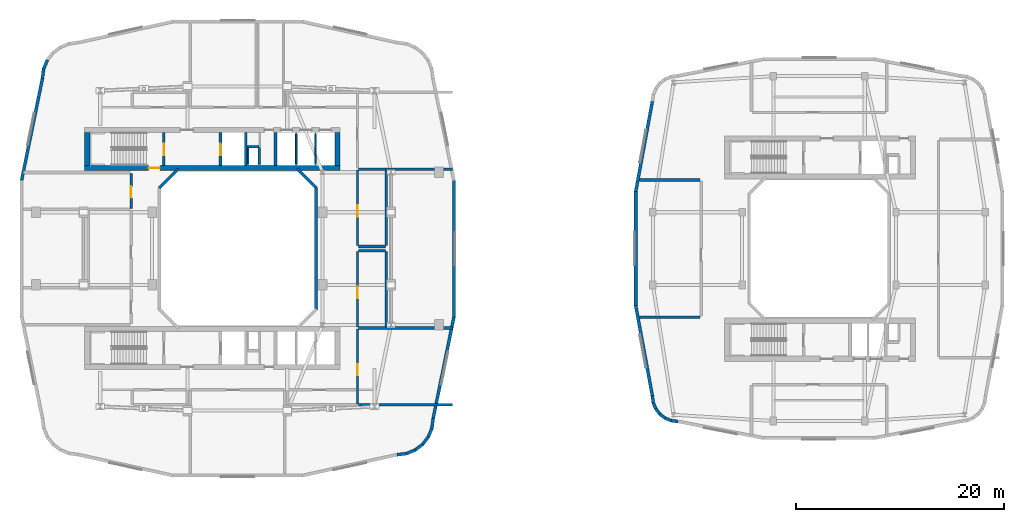
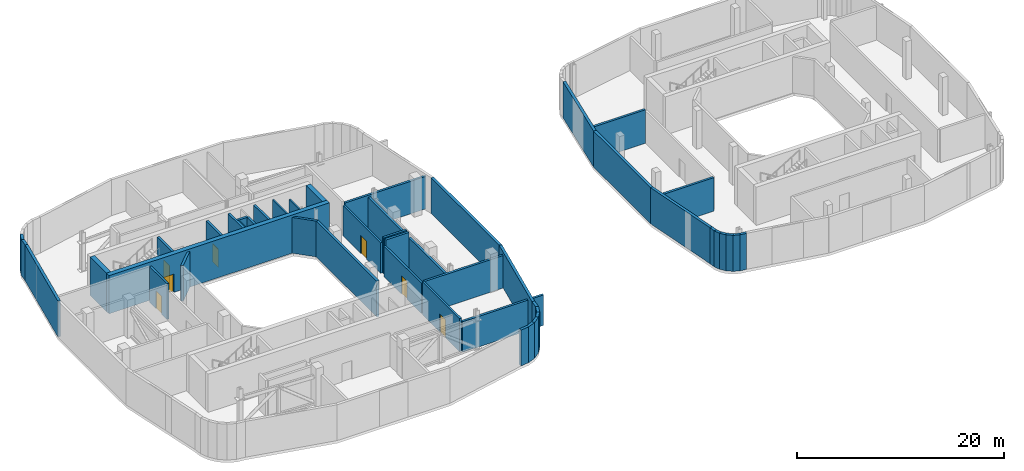
# One storey, part 8 of 18: 48 walls, 7 doors, 7 openings.
"""IFC4 building model written with IfcOpenShell, lengths in metres."""

from ifc_helpers import new_model, si_unit, derived_unit, direction, frame, frame_2d, origin, place, context, subcontext, project, spatial, rectangle, extrude, material, layer, layer_set, type_object, element, fill, save


model = new_model("IFC4")

# Units and contexts
model_context = context("Model", 3, precision=1e-05, world=origin(), true_north=direction((0.0, 1.0)))
body_context = subcontext(model_context, "Body", "Model", "MODEL_VIEW")
ifc_project = project(units=[si_unit("LENGTHUNIT", "METRE"), si_unit("AREAUNIT", "SQUARE_METRE"), si_unit("VOLUMEUNIT", "CUBIC_METRE"), si_unit("PLANEANGLEUNIT", "RADIAN"), si_unit("MASSUNIT", "GRAM", prefix="KILO"), derived_unit("THERMALTRANSMITTANCEUNIT", [(si_unit("POWERUNIT", "WATT"), 1), (si_unit("LENGTHUNIT", "METRE"), -2), (si_unit("THERMODYNAMICTEMPERATUREUNIT", "KELVIN"), -1)])], contexts=[model_context])

# Site, building, storey
site_placement = place(None, origin())
site = spatial("IfcSite", under=ifc_project, at=site_placement, CompositionType="ELEMENT")
building_placement = place(site_placement, origin())
building = spatial("IfcBuilding", under=site, at=building_placement, Name="Kivonza Crest Hotel", CompositionType="ELEMENT")
storey_placement = place(building_placement, frame((0.0, 0.0, 90.5)))
storey = spatial("IfcBuildingStorey", under=building, at=storey_placement, Name="L24", CompositionType="ELEMENT", Elevation=90.5)

# Wall, opening, door
ifc_material_1 = material(Name="Autoclaved aerated concrete blockwork", Category="masonry")
ifc_layer_1 = layer(ifc_material_1, 0.219970703125)
ifc_layer_set_1 = layer_set([ifc_layer_1], Name="Autoclaved aerated concrete blockwork")
wall_type_1 = type_object("IfcWallType", Name="WL-ACOU-220", PredefinedType="SOLIDWALL", material=ifc_layer_set_1)
wall_1_placement = place(storey_placement, frame((10.780029296875, 28.8798828125, 0.0), z_axis=(0.0, 0.0, 1.0), x_axis=(0.0, 1.0, 0.0)))
wall_1 = element("IfcWall", 1, at=wall_1_placement, inside=storey, type_object=wall_type_1, Name="L24 interior partition WA-L24-PL-AHU-E", PredefinedType="SOLIDWALL", context=body_context, shape_type="SweptSolid", body=[
    extrude(rectangle(XDim=3.340087890625, YDim=0.219970703125, at=frame_2d((1.669921875, 0.0))), origin(), (0.0, 0.0, 1.0), 4.219970703125),
])
opening_1_placement = place(wall_1_placement, frame((0.998046875, 0.0, 0.0)))
opening_1 = element("IfcOpeningElement", 2, at=opening_1_placement, cuts=wall_1, Name="Opening DF-120", PredefinedType="OPENING", context=body_context, shape_type="SweptSolid", body=[
    extrude(rectangle(XDim=1.10009765625, YDim=2.14990234375, at=frame_2d((0.550048828125, 1.074951171875))), frame((0.0, 0.1201171875, 0.0), z_axis=(0.0, -1.0, 0.0), x_axis=(1.0, 0.0, 0.0)), (0.0, 0.0, 1.0), 0.239990234375),
])
ifc_material_2 = material(Name="Galvanised steel", Category="steel")
door_type_1 = type_object("IfcDoorType", Name="DR-FD120-1100", OperationType="NOTDEFINED", PredefinedType="DOOR", material=ifc_material_2)
door_1_placement = place(opening_1_placement, origin())
door_1 = element("IfcDoor", 3, at=door_1_placement, inside=storey, type_object=door_type_1, Name="L24 AHU Air Handling Plant Room door", OperationType="SINGLE_SWING_RIGHT", OverallHeight=2.14990234375, OverallWidth=1.10009765625, PredefinedType="DOOR", context=body_context, shape_type="SweptSolid", body=[
    extrude(rectangle(XDim=1.10009765625, YDim=2.14990234375, at=frame_2d((0.550048828125, 1.074951171875))), frame((0.0, 0.02490234375, 0.0), z_axis=(0.0, -1.0, 0.0), x_axis=(1.0, 0.0, 0.0)), (0.0, 0.0, 1.0), 0.050048828125),
])
fill(opening_1, door_1)

wall_2_placement = place(storey_placement, frame((32.56005859375, 17.449951171875, 0.0), z_axis=(0.0, 0.0, 1.0), x_axis=(0.0, 1.0, 0.0)))
wall_2 = element("IfcWall", 4, at=wall_2_placement, inside=storey, type_object=wall_type_1, Name="L24 interior partition WA-L24-PL-HEX-W", PredefinedType="SOLIDWALL", context=body_context, shape_type="SweptSolid", body=[
    extrude(rectangle(XDim=7.25, YDim=0.219970703125, at=frame_2d((3.625, 0.0))), origin(), (0.0, 0.0, 1.0), 3.594970703125),
])
opening_2_placement = place(wall_2_placement, frame((2.757080078125, 0.0, 0.0)))
opening_2 = element("IfcOpeningElement", 5, at=opening_2_placement, cuts=wall_2, Name="Opening DF-120", PredefinedType="OPENING", context=body_context, shape_type="SweptSolid", body=[
    extrude(rectangle(XDim=1.10009765625, YDim=2.14990234375, at=frame_2d((0.550048828125, 1.074951171875))), frame((0.0, 0.1201171875, 0.0), z_axis=(0.0, -1.0, 0.0), x_axis=(1.0, 0.0, 0.0)), (0.0, 0.0, 1.0), 0.239990234375),
])
door_2_placement = place(opening_2_placement, frame((1.10009765625, 0.0, 0.0), z_axis=(0.0, 0.0, 1.0), x_axis=(-1.0, 0.0, 0.0)))
door_2 = element("IfcDoor", 6, at=door_2_placement, inside=storey, type_object=door_type_1, Name="L24 Plate Heat Exchanger Plant Room door", OperationType="SINGLE_SWING_LEFT", OverallHeight=2.14990234375, OverallWidth=1.10009765625, PredefinedType="DOOR", context=body_context, shape_type="SweptSolid", body=[
    extrude(rectangle(XDim=1.10009765625, YDim=2.14990234375, at=frame_2d((0.550048828125, 1.074951171875))), frame((0.0, 0.02490234375, 0.0), z_axis=(0.0, -1.0, 0.0), x_axis=(1.0, 0.0, 0.0)), (0.0, 0.0, 1.0), 0.050048828125),
])
fill(opening_2, door_2)

wall_3_placement = place(storey_placement, frame((32.56005859375, 25.300048828125, 0.0), z_axis=(0.0, 0.0, 1.0), x_axis=(0.0, 1.0, 0.0)))
wall_3 = element("IfcWall", 7, at=wall_3_placement, inside=storey, type_object=wall_type_1, Name="L24 interior partition WA-L24-PL-SWG-W", PredefinedType="SOLIDWALL", context=body_context, shape_type="SweptSolid", body=[
    extrude(rectangle(XDim=7.25, YDim=0.219970703125, at=frame_2d((3.625, 0.0))), origin(), (0.0, 0.0, 1.0), 3.594970703125),
])
opening_3_placement = place(wall_3_placement, frame((2.757080078125, 0.0, 0.0)))
opening_3 = element("IfcOpeningElement", 8, at=opening_3_placement, cuts=wall_3, Name="Opening DF-120", PredefinedType="OPENING", context=body_context, shape_type="SweptSolid", body=[
    extrude(rectangle(XDim=1.10009765625, YDim=2.14990234375, at=frame_2d((0.550048828125, 1.074951171875))), frame((0.0, 0.1201171875, 0.0), z_axis=(0.0, -1.0, 0.0), x_axis=(1.0, 0.0, 0.0)), (0.0, 0.0, 1.0), 0.239990234375),
])
door_3_placement = place(opening_3_placement, frame((1.10009765625, 0.0, 0.0), z_axis=(0.0, 0.0, 1.0), x_axis=(-1.0, 0.0, 0.0)))
door_3 = element("IfcDoor", 9, at=door_3_placement, inside=storey, type_object=door_type_1, Name="L24 High-Zone Electrical Switchroom door", OperationType="SINGLE_SWING_RIGHT", OverallHeight=2.14990234375, OverallWidth=1.10009765625, PredefinedType="DOOR", context=body_context, shape_type="SweptSolid", body=[
    extrude(rectangle(XDim=1.10009765625, YDim=2.14990234375, at=frame_2d((0.550048828125, 1.074951171875))), frame((0.0, 0.02490234375, 0.0), z_axis=(0.0, -1.0, 0.0), x_axis=(1.0, 0.0, 0.0)), (0.0, 0.0, 1.0), 0.050048828125),
])
fill(opening_3, door_3)

wall_4_placement = place(storey_placement, frame((32.56005859375, 10.050048828125, 0.0), z_axis=(0.0, 0.0, 1.0), x_axis=(0.0, 1.0, 0.0)))
wall_4 = element("IfcWall", 10, at=wall_4_placement, inside=storey, type_object=wall_type_1, Name="L24 interior partition WA-L24-PL-ESTS-W", PredefinedType="SOLIDWALL", context=body_context, shape_type="SweptSolid", body=[
    extrude(rectangle(XDim=7.199951171875, YDim=0.219970703125, at=frame_2d((3.60009765625, 0.0))), origin(), (0.0, 0.0, 1.0), 3.89501953125),
])
opening_4_placement = place(wall_4_placement, frame((2.735107421875, 0.0, 0.0)))
opening_4 = element("IfcOpeningElement", 11, at=opening_4_placement, cuts=wall_4, Name="Opening DF-120", PredefinedType="OPENING", context=body_context, shape_type="SweptSolid", body=[
    extrude(rectangle(XDim=1.10009765625, YDim=2.14990234375, at=frame_2d((0.550048828125, 1.074951171875))), frame((0.0, 0.1201171875, 0.0), z_axis=(0.0, -1.0, 0.0), x_axis=(1.0, 0.0, 0.0)), (0.0, 0.0, 1.0), 0.239990234375),
])
door_4_placement = place(opening_4_placement, frame((1.10009765625, 0.0, 0.0), z_axis=(0.0, 0.0, 1.0), x_axis=(-1.0, 0.0, 0.0)))
door_4 = element("IfcDoor", 12, at=door_4_placement, inside=storey, type_object=door_type_1, Name="L24 South-East Smoke Extract Plant Room door", OperationType="SINGLE_SWING_LEFT", OverallHeight=2.14990234375, OverallWidth=1.10009765625, PredefinedType="DOOR", context=body_context, shape_type="SweptSolid", body=[
    extrude(rectangle(XDim=1.10009765625, YDim=2.14990234375, at=frame_2d((0.550048828125, 1.074951171875))), frame((0.0, 0.02490234375, 0.0), z_axis=(0.0, -1.0, 0.0), x_axis=(1.0, 0.0, 0.0)), (0.0, 0.0, 1.0), 0.050048828125),
])
fill(opening_4, door_4)

ifc_material_3 = material(Name="Concrete C60/75", Category="concrete")
ifc_layer_2 = layer(ifc_material_3, 0.5)
ifc_layer_set_2 = layer_set([ifc_layer_2], Name="Concrete C60/75")
wall_type_2 = type_object("IfcWallType", Name="WL-CORE-500", PredefinedType="SHEAR", material=ifc_layer_set_2)
wall_5_placement = place(storey_placement, frame((6.300048828125, 32.75, 0.0), z_axis=(0.0, 0.0, 1.0), x_axis=(1.0, 0.0, 0.0)))
wall_5 = element("IfcWall", 13, at=wall_5_placement, inside=storey, type_object=wall_type_2, Name="Core wall T1-N South L24", PredefinedType="SHEAR", context=body_context, shape_type="SweptSolid", body=[
    extrude(rectangle(XDim=24.599853515625, YDim=0.5, at=frame_2d((12.2998046875, 0.0))), origin(), (0.0, 0.0, 1.0), 4.5),
])
opening_5_placement = place(wall_5_placement, frame((6.14990234375, 0.0, 0.0)))
opening_5 = element("IfcOpeningElement", 14, at=opening_5_placement, cuts=wall_5, Name="Opening DF-120", PredefinedType="OPENING", context=body_context, shape_type="SweptSolid", body=[
    extrude(rectangle(XDim=1.10009765625, YDim=2.14990234375, at=frame_2d((0.550048828125, 1.074951171875))), frame((0.0, 0.260009765625, 0.0), z_axis=(0.0, -1.0, 0.0), x_axis=(1.0, 0.0, 0.0)), (0.0, 0.0, 1.0), 0.52001953125),
])
door_5_placement = place(opening_5_placement, origin())
door_5 = element("IfcDoor", 15, at=door_5_placement, inside=storey, type_object=door_type_1, Name="L24 West plant corridor stair fire door", OperationType="SINGLE_SWING_LEFT", OverallHeight=2.14990234375, OverallWidth=1.10009765625, PredefinedType="DOOR", context=body_context, shape_type="SweptSolid", body=[
    extrude(rectangle(XDim=1.10009765625, YDim=2.14990234375, at=frame_2d((0.550048828125, 1.074951171875))), frame((0.0, 0.02490234375, 0.0), z_axis=(0.0, -1.0, 0.0), x_axis=(1.0, 0.0, 0.0)), (0.0, 0.0, 1.0), 0.050048828125),
])
fill(opening_5, door_5)

# Walls
for number, where, z_axis, x_axis, name in (
    (16, (6.550048828125, 33.0, 0.0), (0.0, 0.0, 1.0), (0.0, 1.0, 0.0), "Core wall T1-N West L24"),
    (17, (30.64990234375, 33.0, 0.0), (0.0, 0.0, 1.0), (0.0, 1.0, 0.0), "Core wall T1-N East L24"),
):
    element("IfcWall", number, at=place(storey_placement, frame(where, z_axis=z_axis, x_axis=x_axis)), inside=storey, type_object=wall_type_2, Name=name, PredefinedType="SHEAR", context=body_context, shape_type="SweptSolid", body=[
        extrude(rectangle(XDim=3.159912109375, YDim=0.5, at=frame_2d((1.580078125, 0.0))), origin(), (0.0, 0.0, 1.0), 4.5),
    ])
ifc_material_4 = material(Name="Precast concrete C40/50", Category="concrete")
ifc_layer_3 = layer(ifc_material_4, 0.260009765625)
ifc_layer_set_3 = layer_set([ifc_layer_3], Name="Precast concrete C40/50")
wall_type_3 = type_object("IfcWallType", Name="WL-EXT-260", PredefinedType="STANDARD", material=ifc_layer_set_3)
wall_6_placement = place(storey_placement, frame((28.570068359375, 19.110107421875, 0.0), z_axis=(0.0, 0.0, 1.0), x_axis=(0.0, 1.0, 0.0)))
element("IfcWall", 18, at=wall_6_placement, inside=storey, type_object=wall_type_3, Name="L24 T1 light-well exterior wall 3", PredefinedType="STANDARD", context=body_context, shape_type="SweptSolid", body=[
    extrude(rectangle(XDim=11.77978515625, YDim=0.260009765625, at=frame_2d((5.889892578125, 0.0))), origin(), (0.0, 0.0, 1.0), 4.219970703125),
])
wall_7_placement = place(storey_placement, frame((28.595947265625, 30.827880859375, 0.0), z_axis=(0.0, 0.0, 1.0), x_axis=(-0.707059717605, 0.707153841636, 0.0)))
element("IfcWall", 19, at=wall_7_placement, inside=storey, type_object=wall_type_3, Name="L24 T1 light-well exterior wall 4", PredefinedType="STANDARD", context=body_context, shape_type="SweptSolid", body=[
    extrude(rectangle(XDim=2.59375, YDim=0.260009765625, at=frame_2d((1.296875, 0.0))), origin(), (0.0, 0.0, 1.0), 4.219970703125),
])
wall_8_placement = place(storey_placement, frame((15.318115234375, 32.662109375, 0.0), z_axis=(0.0, 0.0, 1.0), x_axis=(-0.707106781187, -0.707106781187, 0.0)))
element("IfcWall", 20, at=wall_8_placement, inside=storey, type_object=wall_type_3, Name="L24 T1 light-well exterior wall 6", PredefinedType="STANDARD", context=body_context, shape_type="SweptSolid", body=[
    extrude(rectangle(XDim=2.593994140625, YDim=0.260009765625, at=frame_2d((1.296875, 0.0))), origin(), (0.0, 0.0, 1.0), 4.219970703125),
])
ifc_layer_4 = layer(ifc_material_4, 0.300048828125)
ifc_layer_set_4 = layer_set([ifc_layer_4], Name="Precast concrete C40/50")
wall_type_4 = type_object("IfcWallType", Name="WL-EXT-300", PredefinedType="STANDARD", material=ifc_layer_set_4)
wall_9_placement = place(storey_placement, frame((36.3720703125, 5.14794921875, 0.0), z_axis=(0.0, 0.0, 1.0), x_axis=(0.991359246108, 0.131174864804, 0.0)))
element("IfcWall", 21, at=wall_9_placement, inside=storey, type_object=wall_type_4, Name="L24 T1 exterior insulated wall 10", PredefinedType="STANDARD", context=body_context, shape_type="SweptSolid", body=[
    extrude(rectangle(XDim=0.93798828125, YDim=0.300048828125, at=frame_2d((0.468994140625, 0.0))), origin(), (0.0, 0.0, 1.0), 4.219970703125),
])
wall_10_placement = place(storey_placement, frame((37.251953125, 5.251953125, 0.0), z_axis=(0.0, 0.0, 1.0), x_axis=(0.924019948111, 0.382344263057, 0.0)))
element("IfcWall", 22, at=wall_10_placement, inside=storey, type_object=wall_type_4, Name="L24 T1 exterior insulated wall 11", PredefinedType="STANDARD", context=body_context, shape_type="SweptSolid", body=[
    extrude(rectangle(XDim=0.95458984375, YDim=0.300048828125, at=frame_2d((0.477294921875, 0.0))), origin(), (0.0, 0.0, 1.0), 4.219970703125),
])
wall_11_placement = place(storey_placement, frame((38.089111328125, 5.5859375, 0.0), z_axis=(0.0, 0.0, 1.0), x_axis=(0.793573440799, 0.608474481025, 0.0)))
element("IfcWall", 23, at=wall_11_placement, inside=storey, type_object=wall_type_4, Name="L24 T1 exterior insulated wall 12", PredefinedType="STANDARD", context=body_context, shape_type="SweptSolid", body=[
    extrude(rectangle(XDim=0.954833984375, YDim=0.300048828125, at=frame_2d((0.4775390625, 0.0))), origin(), (0.0, 0.0, 1.0), 4.219970703125),
])
wall_12_placement = place(storey_placement, frame((38.81201171875, 6.125, 0.0), z_axis=(0.0, 0.0, 1.0), x_axis=(0.608351047625, 0.793668068435, 0.0)))
element("IfcWall", 24, at=wall_12_placement, inside=storey, type_object=wall_type_4, Name="L24 T1 exterior insulated wall 13", PredefinedType="STANDARD", context=body_context, shape_type="SweptSolid", body=[
    extrude(rectangle(XDim=0.955078125, YDim=0.300048828125, at=frame_2d((0.4775390625, 0.0))), origin(), (0.0, 0.0, 1.0), 4.219970703125),
])
wall_13_placement = place(storey_placement, frame((39.368896484375, 6.833984375, 0.0), z_axis=(0.0, 0.0, 1.0), x_axis=(0.382344263057, 0.924019948111, 0.0)))
element("IfcWall", 25, at=wall_13_placement, inside=storey, type_object=wall_type_4, Name="L24 T1 exterior insulated wall 14", PredefinedType="STANDARD", context=body_context, shape_type="SweptSolid", body=[
    extrude(rectangle(XDim=0.95458984375, YDim=0.300048828125, at=frame_2d((0.477294921875, 0.0))), origin(), (0.0, 0.0, 1.0), 4.219970703125),
])
wall_14_placement = place(storey_placement, frame((39.72509765625, 7.6630859375, 0.0), z_axis=(0.0, 0.0, 1.0), x_axis=(0.130454512571, 0.991454295543, 0.0)))
element("IfcWall", 26, at=wall_14_placement, inside=storey, type_object=wall_type_4, Name="L24 T1 exterior insulated wall 15", PredefinedType="STANDARD", context=body_context, shape_type="SweptSolid", body=[
    extrude(rectangle(XDim=0.97314453125, YDim=0.300048828125, at=frame_2d((0.486572265625, 0.0))), origin(), (0.0, 0.0, 1.0), 4.219970703125),
])
wall_15_placement = place(storey_placement, frame((39.85107421875, 8.6220703125, 0.0), z_axis=(0.0, 0.0, 1.0), x_axis=(0.200002104792, 0.979795467472, 0.0)))
element("IfcWall", 27, at=wall_15_placement, inside=storey, type_object=wall_type_4, Name="L24 T1 exterior insulated wall 16", PredefinedType="STANDARD", context=body_context, shape_type="SweptSolid", body=[
    extrude(rectangle(XDim=10.0, YDim=0.300048828125, at=frame_2d((5.0, 0.0))), origin(), (0.0, 0.0, 1.0), 4.219970703125),
])
wall_16_placement = place(storey_placement, frame((41.85009765625, 18.375, 0.0), z_axis=(0.0, 0.0, 1.0), x_axis=(0.0, 1.0, 0.0)))
element("IfcWall", 28, at=wall_16_placement, inside=storey, type_object=wall_type_4, Name="L24 T1 exterior insulated wall 17", PredefinedType="STANDARD", context=body_context, shape_type="SweptSolid", body=[
    extrude(rectangle(XDim=13.215087890625, YDim=0.300048828125, at=frame_2d((6.607421875, 0.0))), origin(), (0.0, 0.0, 1.0), 4.219970703125),
])
wall_17_placement = place(storey_placement, frame((2.7109375, 43.166015625, 0.0), z_axis=(0.0, 0.0, 1.0), x_axis=(-0.382344263057, -0.924019948111, 0.0)))
element("IfcWall", 29, at=wall_17_placement, inside=storey, type_object=wall_type_4, Name="L24 T1 exterior insulated wall 32", PredefinedType="STANDARD", context=body_context, shape_type="SweptSolid", body=[
    extrude(rectangle(XDim=0.95458984375, YDim=0.300048828125, at=frame_2d((0.477294921875, 0.0))), origin(), (0.0, 0.0, 1.0), 4.219970703125),
])
wall_18_placement = place(storey_placement, frame((2.35498046875, 42.3369140625, 0.0), z_axis=(0.0, 0.0, 1.0), x_axis=(-0.130454512571, -0.991454295543, 0.0)))
element("IfcWall", 30, at=wall_18_placement, inside=storey, type_object=wall_type_4, Name="L24 T1 exterior insulated wall 33", PredefinedType="STANDARD", context=body_context, shape_type="SweptSolid", body=[
    extrude(rectangle(XDim=0.97314453125, YDim=0.300048828125, at=frame_2d((0.486572265625, 0.0))), origin(), (0.0, 0.0, 1.0), 4.219970703125),
])
wall_19_placement = place(storey_placement, frame((2.22900390625, 41.3779296875, 0.0), z_axis=(0.0, 0.0, 1.0), x_axis=(-0.200002104792, -0.979795467472, 0.0)))
element("IfcWall", 31, at=wall_19_placement, inside=storey, type_object=wall_type_4, Name="L24 T1 exterior insulated wall 34", PredefinedType="STANDARD", context=body_context, shape_type="SweptSolid", body=[
    extrude(rectangle(XDim=10.0, YDim=0.300048828125, at=frame_2d((5.0, 0.0))), origin(), (0.0, 0.0, 1.0), 4.219970703125),
])
wall_20_placement = place(storey_placement, frame((60.947998046875, 10.827880859375, 0.0), z_axis=(0.0, 0.0, 1.0), x_axis=(0.131667498923, -0.991293937098, 0.0)))
element("IfcWall", 32, at=wall_20_placement, inside=storey, type_object=wall_type_4, Name="L24 T2 exterior insulated wall 1", PredefinedType="STANDARD", context=body_context, shape_type="SweptSolid", body=[
    extrude(rectangle(XDim=0.6767578125, YDim=0.300048828125, at=frame_2d((0.33837890625, 0.0))), origin(), (0.0, 0.0, 1.0), 4.25),
])
wall_21_placement = place(storey_placement, frame((61.01806640625, 10.20703125, 0.0), z_axis=(0.0, 0.0, 1.0), x_axis=(0.381864727877, -0.92421822618, 0.0)))
element("IfcWall", 33, at=wall_21_placement, inside=storey, type_object=wall_type_4, Name="L24 T2 exterior insulated wall 2", PredefinedType="STANDARD", context=body_context, shape_type="SweptSolid", body=[
    extrude(rectangle(XDim=0.693603515625, YDim=0.300048828125, at=frame_2d((0.3466796875, 0.0))), origin(), (0.0, 0.0, 1.0), 4.25),
])
for number, where, z_axis, x_axis, name in (
    (34, (61.251953125, 9.611083984375, 0.0), (0.0, 0.0, 1.0), (0.609693758543, -0.792637067512, 0.0), "L24 T2 exterior insulated wall 3"),
    (35, (61.633056640625, 9.095947265625, 0.0), (0.0, 0.0, 1.0), (0.792807092876, -0.609472651958, 0.0), "L24 T2 exterior insulated wall 4"),
):
    element("IfcWall", number, at=place(storey_placement, frame(where, z_axis=z_axis, x_axis=x_axis)), inside=storey, type_object=wall_type_4, Name=name, PredefinedType="STANDARD", context=body_context, shape_type="SweptSolid", body=[
        extrude(rectangle(XDim=0.69384765625, YDim=0.300048828125, at=frame_2d((0.346923828125, 0.0))), origin(), (0.0, 0.0, 1.0), 4.25),
    ])
wall_22_placement = place(storey_placement, frame((62.134033203125, 8.697021484375, 0.0), z_axis=(0.0, 0.0, 1.0), x_axis=(0.924042561464, -0.382289608286, 0.0)))
element("IfcWall", 36, at=wall_22_placement, inside=storey, type_object=wall_type_4, Name="L24 T2 exterior insulated wall 5", PredefinedType="STANDARD", context=body_context, shape_type="SweptSolid", body=[
    extrude(rectangle(XDim=0.693603515625, YDim=0.300048828125, at=frame_2d((0.3466796875, 0.0))), origin(), (0.0, 0.0, 1.0), 4.25),
])
wall_23_placement = place(storey_placement, frame((62.721923828125, 8.44091796875, 0.0), z_axis=(0.0, 0.0, 1.0), x_axis=(0.991433279471, -0.130614135366, 0.0)))
element("IfcWall", 37, at=wall_23_placement, inside=storey, type_object=wall_type_4, Name="L24 T2 exterior insulated wall 6", PredefinedType="STANDARD", context=body_context, shape_type="SweptSolid", body=[
    extrude(rectangle(XDim=0.712158203125, YDim=0.300048828125, at=frame_2d((0.35595703125, 0.0))), origin(), (0.0, 0.0, 1.0), 4.25),
])
wall_24_placement = place(storey_placement, frame((60.948974609375, 39.180908203125, 0.0), z_axis=(0.0, 0.0, 1.0), x_axis=(-0.181195526793, -0.983447091139, 0.0)))
element("IfcWall", 38, at=wall_24_placement, inside=storey, type_object=wall_type_4, Name="L24 T2 exterior insulated wall 34", PredefinedType="STANDARD", context=body_context, shape_type="SweptSolid", body=[
    extrude(rectangle(XDim=8.823974609375, YDim=0.300048828125, at=frame_2d((4.412109375, 0.0))), origin(), (0.0, 0.0, 1.0), 4.25),
])
wall_25_placement = place(storey_placement, frame((59.35009765625, 30.544921875, 0.0), z_axis=(0.0, 0.0, 1.0), x_axis=(0.0, -1.0, 0.0)))
element("IfcWall", 39, at=wall_25_placement, inside=storey, type_object=wall_type_4, Name="L24 T2 exterior insulated wall 35", PredefinedType="STANDARD", context=body_context, shape_type="SweptSolid", body=[
    extrude(rectangle(XDim=11.054931640625, YDim=0.300048828125, at=frame_2d((5.52734375, 0.0))), origin(), (0.0, 0.0, 1.0), 4.25),
])
wall_26_placement = place(storey_placement, frame((59.343017578125, 19.531982421875, 0.0), z_axis=(0.0, 0.0, 1.0), x_axis=(0.181266231142, -0.983434061566, 0.0)))
element("IfcWall", 40, at=wall_26_placement, inside=storey, type_object=wall_type_4, Name="L24 T2 exterior insulated wall 36", PredefinedType="STANDARD", context=body_context, shape_type="SweptSolid", body=[
    extrude(rectangle(XDim=8.859619140625, YDim=0.300048828125, at=frame_2d((4.4296875, 0.0))), origin(), (0.0, 0.0, 1.0), 4.25),
])
ifc_material_5 = material(Name="Concrete blockwork fire-compartment wall", Category="masonry")
ifc_layer_5 = layer(ifc_material_5, 0.25)
ifc_layer_set_5 = layer_set([ifc_layer_5], Name="Concrete blockwork fire-compartment wall")
wall_type_5 = type_object("IfcWallType", Name="WL-FIRE-250", PredefinedType="SOLIDWALL", material=ifc_layer_set_5)
wall_27_placement = place(storey_placement, frame((23.10009765625, 33.10009765625, 0.0), z_axis=(0.0, 0.0, 1.0), x_axis=(0.0, 1.0, 0.0)))
element("IfcWall", 41, at=wall_27_placement, inside=storey, type_object=wall_type_5, Name="L24 interior partition WA-L24-T1-N-MEPR-E", PredefinedType="SOLIDWALL", context=body_context, shape_type="SweptSolid", body=[
    extrude(rectangle(XDim=1.619873046875, YDim=0.25, at=frame_2d((0.81005859375, 0.0))), origin(), (0.0, 0.0, 1.0), 4.219970703125),
])
wall_28_placement = place(storey_placement, frame((21.949951171875, 34.820068359375, 0.0), z_axis=(0.0, 0.0, 1.0), x_axis=(1.0, 0.0, 0.0)))
element("IfcWall", 42, at=wall_28_placement, inside=storey, type_object=wall_type_5, Name="L24 interior partition WA-L24-T1-N-MEPR-H", PredefinedType="SOLIDWALL", context=body_context, shape_type="SweptSolid", body=[
    extrude(rectangle(XDim=1.150146484375, YDim=0.25, at=frame_2d((0.5751953125, 0.0))), origin(), (0.0, 0.0, 1.0), 4.219970703125),
])
wall_29_placement = place(storey_placement, frame((35.35009765625, 17.449951171875, 0.0), z_axis=(0.0, 0.0, 1.0), x_axis=(0.0, 1.0, 0.0)))
element("IfcWall", 43, at=wall_29_placement, inside=storey, type_object=wall_type_5, Name="L24 interior partition WP-L24-PL-HEX-BE", PredefinedType="SOLIDWALL", context=body_context, shape_type="SweptSolid", body=[
    extrude(rectangle(XDim=7.25, YDim=0.25, at=frame_2d((3.625, 0.0))), origin(), (0.0, 0.0, 1.0), 3.594970703125),
])
wall_30_placement = place(storey_placement, frame((32.659912109375, 24.800048828125, 0.0), z_axis=(0.0, 0.0, 1.0), x_axis=(1.0, 0.0, 0.0)))
element("IfcWall", 44, at=wall_30_placement, inside=storey, type_object=wall_type_5, Name="L24 interior partition WP-L24-PL-HEX-BN", PredefinedType="SOLIDWALL", context=body_context, shape_type="SweptSolid", body=[
    extrude(rectangle(XDim=2.590087890625, YDim=0.25, at=frame_2d((1.294921875, 0.0))), origin(), (0.0, 0.0, 1.0), 4.219970703125),
])
wall_31_placement = place(storey_placement, frame((35.35009765625, 25.300048828125, 0.0), z_axis=(0.0, 0.0, 1.0), x_axis=(0.0, 1.0, 0.0)))
element("IfcWall", 45, at=wall_31_placement, inside=storey, type_object=wall_type_5, Name="L24 interior partition WP-L24-PL-SWG-BE", PredefinedType="SOLIDWALL", context=body_context, shape_type="SweptSolid", body=[
    extrude(rectangle(XDim=7.25, YDim=0.25, at=frame_2d((3.625, 0.0))), origin(), (0.0, 0.0, 1.0), 3.594970703125),
])
wall_32_placement = place(storey_placement, frame((32.659912109375, 25.199951171875, 0.0), z_axis=(0.0, 0.0, 1.0), x_axis=(1.0, 0.0, 0.0)))
element("IfcWall", 46, at=wall_32_placement, inside=storey, type_object=wall_type_5, Name="L24 interior partition WP-L24-PL-SWG-BS", PredefinedType="SOLIDWALL", context=body_context, shape_type="SweptSolid", body=[
    extrude(rectangle(XDim=2.590087890625, YDim=0.25, at=frame_2d((1.294921875, 0.0))), origin(), (0.0, 0.0, 1.0), 4.219970703125),
])
wall_33_placement = place(storey_placement, frame((32.659912109375, 9.949951171875, 0.0), z_axis=(0.0, 0.0, 1.0), x_axis=(1.0, 0.0, 0.0)))
element("IfcWall", 47, at=wall_33_placement, inside=storey, type_object=wall_type_5, Name="L24 interior partition WP-L24-PL-ESTS-BS", PredefinedType="SOLIDWALL", context=body_context, shape_type="SweptSolid", body=[
    extrude(rectangle(XDim=9.0400390625, YDim=0.25, at=frame_2d((4.52001953125, 0.0))), origin(), (0.0, 0.0, 1.0), 3.594970703125),
])
for number, where, z_axis, x_axis, name in (
    (48, (32.659912109375, 17.35009765625, 0.0), (0.0, 0.0, 1.0), (1.0, 0.0, 0.0), "L24 interior partition WP-L24-PL-ESTS-BN"),
    (49, (32.659912109375, 32.64990234375, 0.0), (0.0, 0.0, 1.0), (1.0, 0.0, 0.0), "L24 interior partition WP-L24-PL-ESTN-BS"),
):
    element("IfcWall", number, at=place(storey_placement, frame(where, z_axis=z_axis, x_axis=x_axis)), inside=storey, type_object=wall_type_5, Name=name, PredefinedType="SOLIDWALL", context=body_context, shape_type="SweptSolid", body=[
        extrude(rectangle(XDim=9.0400390625, YDim=0.25, at=frame_2d((4.52001953125, 0.0))), origin(), (0.0, 0.0, 1.0), 3.8349609375),
    ])
for number, where, z_axis, x_axis, name in (
    (50, (59.699951171875, 18.39990234375, 0.0), (0.0, 0.0, 1.0), (1.0, 0.0, 0.0), "L24 interior partition WP-L24-T2-AHU-BS"),
    (51, (59.699951171875, 31.60009765625, 0.0), (0.0, 0.0, 1.0), (1.0, 0.0, 0.0), "L24 interior partition WP-L24-T2-AHU-BN"),
):
    element("IfcWall", number, at=place(storey_placement, frame(where, z_axis=z_axis, x_axis=x_axis)), inside=storey, type_object=wall_type_5, Name=name, PredefinedType="SOLIDWALL", context=body_context, shape_type="SweptSolid", body=[
        extrude(rectangle(XDim=5.85009765625, YDim=0.25, at=frame_2d((2.925048828125, 0.0))), origin(), (0.0, 0.0, 1.0), 3.945068359375),
    ])
ifc_material_6 = material(Name="Twin-stud acoustic gypsum board partition", Category="gypsum")
ifc_layer_6 = layer(ifc_material_6, 0.14990234375)
ifc_layer_set_6 = layer_set([ifc_layer_6], Name="Twin-stud acoustic gypsum board partition")
wall_type_6 = type_object("IfcWallType", Name="WL-PART-150", PredefinedType="PARTITIONING", material=ifc_layer_set_6)
wall_34_placement = place(storey_placement, frame((22.030029296875, 33.10009765625, 0.0), z_axis=(0.0, 0.0, 1.0), x_axis=(0.0, 1.0, 0.0)))
element("IfcWall", 52, at=wall_34_placement, inside=storey, type_object=wall_type_6, Name="L24 interior partition WA-L24-T1-N-MEPR-W", PredefinedType="PARTITIONING", context=body_context, shape_type="SweptSolid", body=[
    extrude(rectangle(XDim=1.619873046875, YDim=0.14990234375, at=frame_2d((0.81005859375, 0.0))), origin(), (0.0, 0.0, 1.0), 4.219970703125),
])
wall_35_placement = place(storey_placement, frame((26.6669921875, 33.10009765625, 0.0), z_axis=(0.0, 0.0, 1.0), x_axis=(0.0, 1.0, 0.0)))
element("IfcWall", 53, at=wall_35_placement, inside=storey, type_object=wall_type_6, Name="L24 interior partition WP-L24-T1-N-BSH-1", PredefinedType="PARTITIONING", context=body_context, shape_type="SweptSolid", body=[
    extrude(rectangle(XDim=2.9599609375, YDim=0.14990234375, at=frame_2d((1.47998046875, 0.0))), origin(), (0.0, 0.0, 1.0), 4.219970703125),
])
wall_36_placement = place(storey_placement, frame((28.532958984375, 33.10009765625, 0.0), z_axis=(0.0, 0.0, 1.0), x_axis=(0.0, 1.0, 0.0)))
element("IfcWall", 54, at=wall_36_placement, inside=storey, type_object=wall_type_6, Name="L24 interior partition WP-L24-T1-N-BSH-2", PredefinedType="PARTITIONING", context=body_context, shape_type="SweptSolid", body=[
    extrude(rectangle(XDim=2.9599609375, YDim=0.14990234375, at=frame_2d((1.47998046875, 0.0))), origin(), (0.0, 0.0, 1.0), 3.594970703125),
])

# Wall, opening, door
ifc_material_7 = material(Name="Concrete C50/60", Category="concrete")
ifc_layer_7 = layer(ifc_material_7, 0.25)
ifc_layer_set_7 = layer_set([ifc_layer_7], Name="Concrete C50/60")
wall_type_7 = type_object("IfcWallType", Name="WL-SHAFT-250", PredefinedType="STANDARD", material=ifc_layer_set_7)
wall_37_placement = place(storey_placement, frame((13.925048828125, 33.0, 0.0), z_axis=(0.0, 0.0, 1.0), x_axis=(0.0, 1.0, 0.0)))
wall_37 = element("IfcWall", 55, at=wall_37_placement, inside=storey, type_object=wall_type_7, Name="Core shaft wall T1-N STAIR L24", PredefinedType="STANDARD", context=body_context, shape_type="SweptSolid", body=[
    extrude(rectangle(XDim=3.159912109375, YDim=0.25, at=frame_2d((1.580078125, 0.0))), origin(), (0.0, 0.0, 1.0), 4.219970703125),
])
opening_6_placement = place(wall_37_placement, frame((0.97998046875, 0.0, 0.0)))
opening_6 = element("IfcOpeningElement", 56, at=opening_6_placement, cuts=wall_37, Name="Opening DF-120", PredefinedType="OPENING", context=body_context, shape_type="SweptSolid", body=[
    extrude(rectangle(XDim=1.10009765625, YDim=2.14990234375, at=frame_2d((0.550048828125, 1.074951171875))), frame((0.0, 0.135009765625, 0.0), z_axis=(0.0, -1.0, 0.0), x_axis=(1.0, 0.0, 0.0)), (0.0, 0.0, 1.0), 0.27001953125),
])
door_6_placement = place(opening_6_placement, frame((1.10009765625, 0.0, 0.0), z_axis=(0.0, 0.0, 1.0), x_axis=(-1.0, 0.0, 0.0)))
door_6 = element("IfcDoor", 57, at=door_6_placement, inside=storey, type_object=door_type_1, Name="L24 T1-N stair fire door", OperationType="SINGLE_SWING_LEFT", OverallHeight=2.14990234375, OverallWidth=1.10009765625, PredefinedType="DOOR", context=body_context, shape_type="SweptSolid", body=[
    extrude(rectangle(XDim=1.10009765625, YDim=2.14990234375, at=frame_2d((0.550048828125, 1.074951171875))), frame((0.0, 0.02490234375, 0.0), z_axis=(0.0, -1.0, 0.0), x_axis=(1.0, 0.0, 0.0)), (0.0, 0.0, 1.0), 0.050048828125),
])
fill(opening_6, door_6)

wall_38_placement = place(storey_placement, frame((19.375, 33.0, 0.0), z_axis=(0.0, 0.0, 1.0), x_axis=(0.0, 1.0, 0.0)))
wall_38 = element("IfcWall", 58, at=wall_38_placement, inside=storey, type_object=wall_type_7, Name="Core shaft wall T1-N FFL-W L24", PredefinedType="STANDARD", context=body_context, shape_type="SweptSolid", body=[
    extrude(rectangle(XDim=3.159912109375, YDim=0.25, at=frame_2d((1.580078125, 0.0))), origin(), (0.0, 0.0, 1.0), 4.219970703125),
])
opening_7_placement = place(wall_38_placement, frame((0.97998046875, 0.0, 0.0)))
opening_7 = element("IfcOpeningElement", 59, at=opening_7_placement, cuts=wall_38, Name="Opening LD-120", PredefinedType="OPENING", context=body_context, shape_type="SweptSolid", body=[
    extrude(rectangle(XDim=1.10009765625, YDim=2.14990234375, at=frame_2d((0.550048828125, 1.074951171875))), frame((0.0, 0.135009765625, 0.0), z_axis=(0.0, -1.0, 0.0), x_axis=(1.0, 0.0, 0.0)), (0.0, 0.0, 1.0), 0.27001953125),
])
ifc_material_8 = material(Name="Stainless steel", Category="steel")
door_type_2 = type_object("IfcDoorType", Name="DR-LD120-1100", OperationType="NOTDEFINED", PredefinedType="DOOR", material=ifc_material_8)
door_7_placement = place(opening_7_placement, origin())
door_7 = element("IfcDoor", 60, at=door_7_placement, inside=storey, type_object=door_type_2, Name="L24 FFL-T1-N firefighting lift sliding landing door", OperationType="DOUBLE_DOOR_SLIDING", OverallHeight=2.14990234375, OverallWidth=1.10009765625, PredefinedType="DOOR", context=body_context, shape_type="SweptSolid", body=[
    extrude(rectangle(XDim=1.10009765625, YDim=2.14990234375, at=frame_2d((0.550048828125, 1.074951171875))), frame((0.0, 0.02490234375, 0.0), z_axis=(0.0, -1.0, 0.0), x_axis=(1.0, 0.0, 0.0)), (0.0, 0.0, 1.0), 0.050048828125),
])
fill(opening_7, door_7)

# Walls
for number, where, z_axis, x_axis, name in (
    (61, (21.824951171875, 33.0, 0.0), (0.0, 0.0, 1.0), (0.0, 1.0, 0.0), "Core shaft wall T1-N FFL-E L24"),
    (62, (24.675048828125, 33.0, 0.0), (0.0, 0.0, 1.0), (0.0, 1.0, 0.0), "Core shaft wall T1-N BANK-W L24"),
):
    element("IfcWall", number, at=place(storey_placement, frame(where, z_axis=z_axis, x_axis=x_axis)), inside=storey, type_object=wall_type_7, Name=name, PredefinedType="STANDARD", context=body_context, shape_type="SweptSolid", body=[
        extrude(rectangle(XDim=3.159912109375, YDim=0.25, at=frame_2d((1.580078125, 0.0))), origin(), (0.0, 0.0, 1.0), 4.219970703125),
    ])

save(model, "model.ifc")
